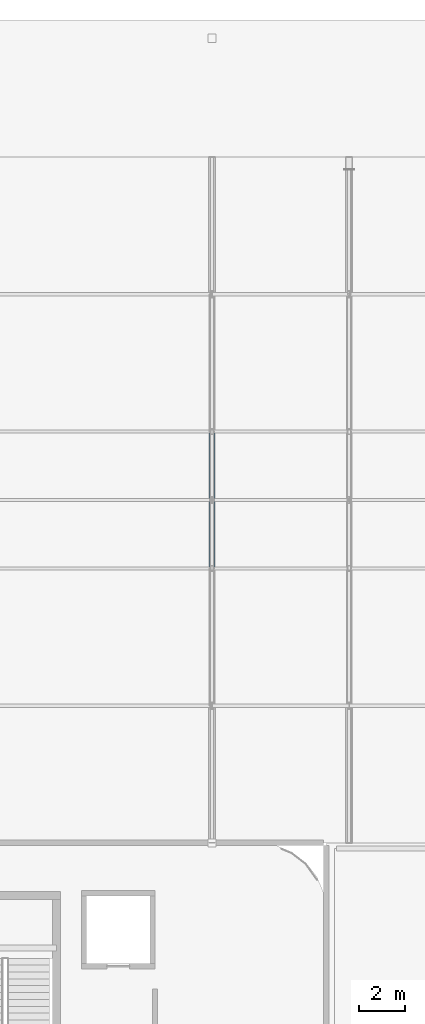
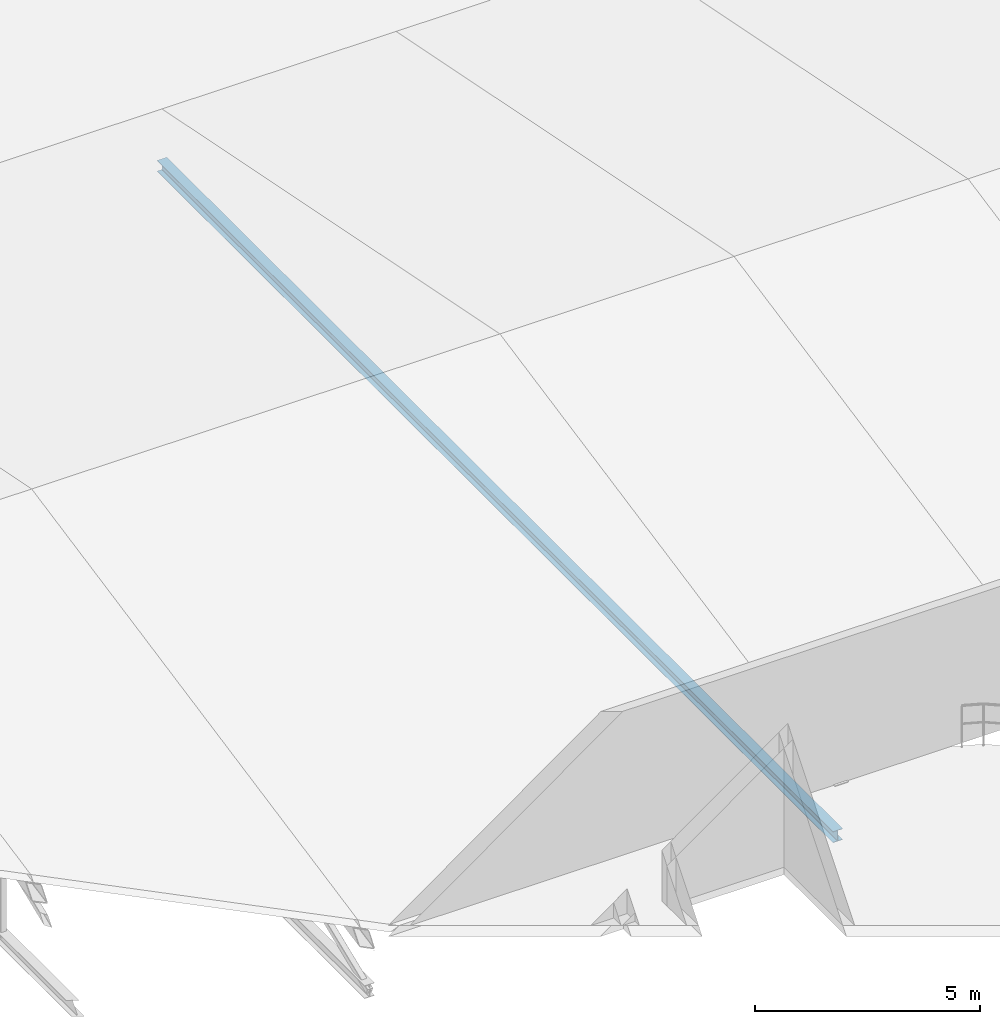
# One storey, part 29 of 83: 1 member.
"""IFC4 building model written with IfcOpenShell, lengths in metres."""

from ifc_helpers import new_model, si_unit, direction, frame, origin, origin_2d, place, context, subcontext, project, spatial, i_section, extrude, material, material_profile, profile_set, type_object, element, save


model = new_model("IFC4")

# Units and contexts
model_context = context("Model", 3, precision=1e-05, world=origin(), true_north=direction((0.0, 1.0)))
body_context = subcontext(model_context, "Body", "Model", "MODEL_VIEW")
ifc_project = project(units=[si_unit("LENGTHUNIT", "METRE"), si_unit("AREAUNIT", "SQUARE_METRE"), si_unit("VOLUMEUNIT", "CUBIC_METRE"), si_unit("PLANEANGLEUNIT", "RADIAN"), si_unit("MASSUNIT", "GRAM", prefix="KILO")], contexts=[model_context])

# Site, building, storey
site_placement = place(None, origin())
site = spatial("IfcSite", under=ifc_project, at=site_placement, CompositionType="ELEMENT")
building_placement = place(site_placement, origin())
building = spatial("IfcBuilding", under=site, at=building_placement, Name="Varnakota Square Police Headquarters", CompositionType="ELEMENT")
storey_placement = place(building_placement, frame((0.0, 0.0, 18.0)))
storey = spatial("IfcBuildingStorey", under=building, at=storey_placement, Name="L04", CompositionType="ELEMENT", Elevation=18.0)

# Member
ifc_material = material(Name="Steel IS 2062 Grade 350", Category="steel")
ifc_material_profile = material_profile(ifc_material, i_section(OverallWidth=0.25, OverallDepth=0.300048828125, WebThickness=0.009521484375, FlangeThickness=0.010498046875, FilletRadius=0.011962890625, at=origin_2d()), Name="ISHB 300")
ifc_profile_set = profile_set([ifc_material_profile], Name="Steel IS 2062 Grade 350")
member_type = type_object("IfcMemberType", Name="MEM-TRCH-ISHB300", PredefinedType="CHORD", material=ifc_profile_set)
member_placement = place(storey_placement, frame((30.0, 75.0, -1.5), z_axis=(0.0, 1.0, 0.0), x_axis=(-1.0, 0.0, 0.0)))
element("IfcMember", 1, at=member_placement, inside=storey, type_object=member_type, Name="ROOF TRUSS bottom chord T4", PredefinedType="CHORD", context=body_context, shape_type="SweptSolid", body=[
    extrude(i_section(OverallWidth=0.25, OverallDepth=0.300048828125, WebThickness=0.009521484375, FlangeThickness=0.010498046875, FilletRadius=0.011962890625, at=origin_2d()), origin(), (0.0, 0.0, 1.0), 30.0),
])

save(model, "model.ifc")
